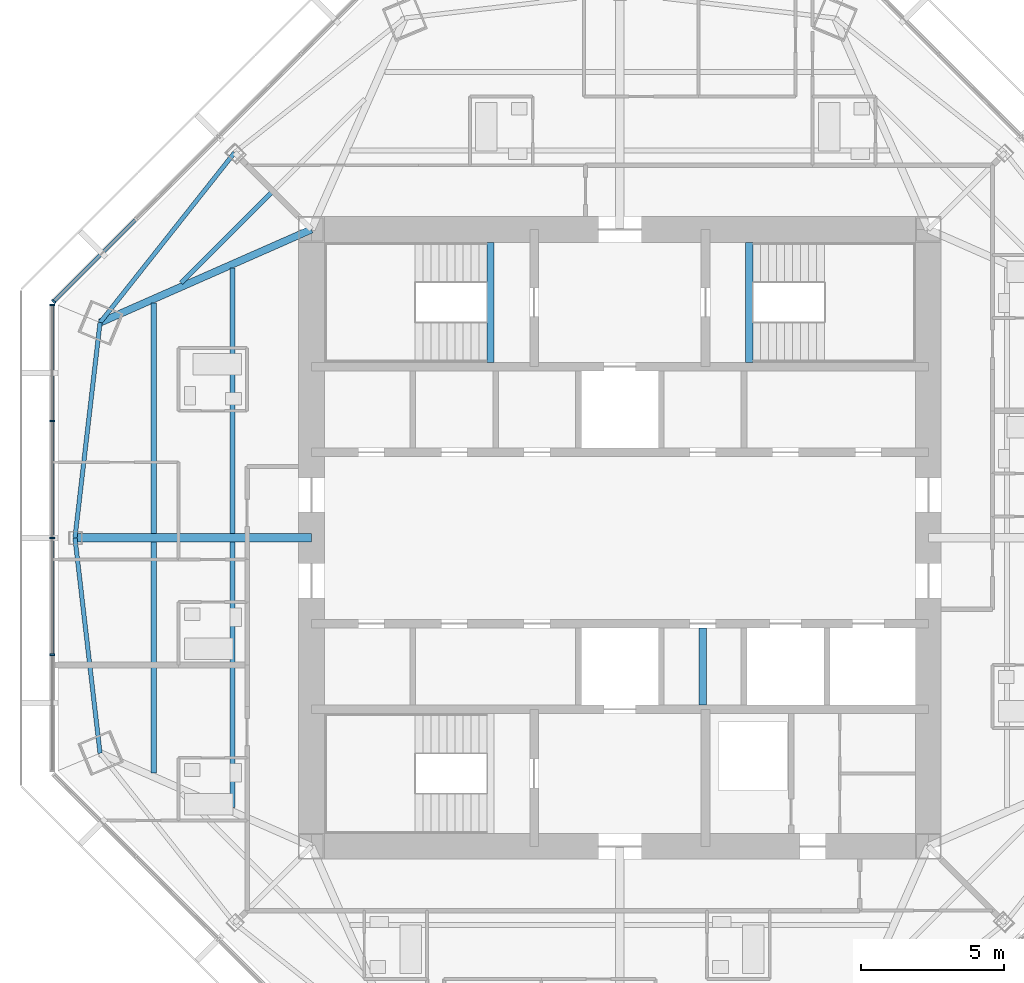
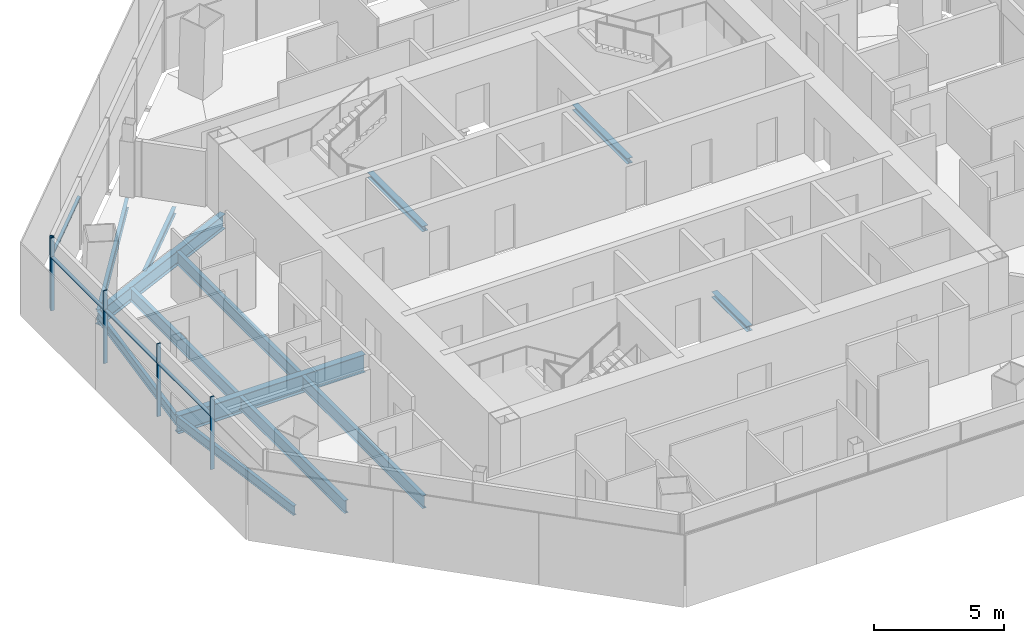
# One storey, part 4 of 14: 13 beams, 9 members, 2 elements without a shape of their own.
"""IFC4 building model written with IfcOpenShell, lengths in metres."""

from ifc_helpers import new_model, si_unit, direction, frame, origin, origin_2d, place, context, subcontext, project, spatial, rectangle, i_section, extrude, source, transform, mapped, material, material_profile, profile_set, type_object, type_shapes, element, aggregate, save


model = new_model("IFC4")

# Units and contexts
model_context = context("Model", 3, precision=1e-05, world=origin(), true_north=direction((0.0, 1.0)))
body_context = subcontext(model_context, "Body", "Model", "MODEL_VIEW")
ifc_project = project(units=[si_unit("LENGTHUNIT", "METRE"), si_unit("AREAUNIT", "SQUARE_METRE"), si_unit("VOLUMEUNIT", "CUBIC_METRE"), si_unit("PLANEANGLEUNIT", "RADIAN"), si_unit("MASSUNIT", "GRAM", prefix="KILO")], contexts=[model_context])

# Site, building, storey
site_placement = place(None, origin())
site = spatial("IfcSite", under=ifc_project, at=site_placement, CompositionType="ELEMENT")
building_placement = place(site_placement, origin())
building = spatial("IfcBuilding", under=site, at=building_placement, Name="Mashrafa Tower", CompositionType="ELEMENT")
storey_placement = place(building_placement, frame((0.0, 0.0, 287.800048828125)))
storey = spatial("IfcBuildingStorey", under=building, at=storey_placement, Name="L70", CompositionType="ELEMENT", Elevation=287.800048828125)

# Beams
ifc_material_1 = material(Name="Steel ASTM A992", Category="steel")
ifc_material_profile_1 = material_profile(ifc_material_1, i_section(OverallWidth=0.164794921875, OverallDepth=0.309814453125, WebThickness=0.005859375, FlangeThickness=0.009765625, FilletRadius=0.007568359375, at=origin_2d()), Name="W12X26")
ifc_profile_set_1 = profile_set([ifc_material_profile_1], Name="Steel ASTM A992")
beam_type_1 = type_object("IfcBeamType", Name="Beam W12X26", PredefinedType="BEAM", material=ifc_profile_set_1)
beam_1_placement = place(storey_placement, frame((-15.35986328125, 8.930908203125, -0.35498046875), z_axis=(0.707079391464, 0.707134169849, 0.0), x_axis=(-0.707134169849, 0.707079391464, 0.0)))
element("IfcBeam", 1, at=beam_1_placement, inside=storey, type_object=beam_type_1, Name="Floor beam L70 003", PredefinedType="BEAM", context=body_context, shape_type="SweptSolid", body=[
    extrude(i_section(OverallWidth=0.164794921875, OverallDepth=0.309814453125, WebThickness=0.005859375, FlangeThickness=0.009765625, FilletRadius=0.007568359375, at=origin_2d()), origin(), (0.0, 0.0, 1.0), 4.456787109375),
])
ifc_material_2 = material(Name="Steel ASTM A992", Category="steel")
ifc_material_profile_2 = material_profile(ifc_material_2, i_section(OverallWidth=0.15234375, OverallDepth=0.449462890625, WebThickness=0.007568359375, FlangeThickness=0.0107421875, FilletRadius=0.01025390625, at=origin_2d()), Name="W18X35")
ifc_profile_set_2 = profile_set([ifc_material_profile_2], Name="Steel ASTM A992")
beam_type_2 = type_object("IfcBeamType", Name="Beam W18X35", PredefinedType="BEAM", material=ifc_profile_set_2)
for number, where, z_axis, x_axis, name in (
    (2, (-19.078857421875, 0.0, -0.4248046875), (0.115700871656, -0.99328410251, 0.0), (0.99328410251, 0.115700871656, 0.0), "Spandrel beam L70 041"),
    (3, (-18.20068359375, 7.5390625, -0.4248046875), (-0.115700871656, -0.99328410251, 0.0), (0.99328410251, -0.115700871656, 0.0), "Spandrel beam L70 043"),
):
    element("IfcBeam", number, at=place(storey_placement, frame(where, z_axis=z_axis, x_axis=x_axis)), inside=storey, type_object=beam_type_2, Name=name, PredefinedType="BEAM", context=body_context, shape_type="SweptSolid", body=[
        extrude(i_section(OverallWidth=0.15234375, OverallDepth=0.449462890625, WebThickness=0.007568359375, FlangeThickness=0.0107421875, FilletRadius=0.01025390625, at=origin_2d()), origin(), (0.0, 0.0, 1.0), 7.590087890625),
    ])
beam_2_placement = place(storey_placement, frame((-13.49072265625, 13.49072265625, -0.4248046875), z_axis=(-0.620559574276, -0.784159304462, 0.0), x_axis=(0.784159304462, -0.620559574276, 0.0)))
element("IfcBeam", 4, at=beam_2_placement, inside=storey, type_object=beam_type_2, Name="Spandrel beam L70 045", PredefinedType="BEAM", context=body_context, shape_type="SweptSolid", body=[
    extrude(i_section(OverallWidth=0.15234375, OverallDepth=0.449462890625, WebThickness=0.007568359375, FlangeThickness=0.0107421875, FilletRadius=0.01025390625, at=origin_2d()), origin(), (0.0, 0.0, 1.0), 7.58984375),
])
ifc_material_3 = material(Name="Steel ASTM A992", Category="steel")
ifc_material_profile_3 = material_profile(ifc_material_3, i_section(OverallWidth=0.177978515625, OverallDepth=0.599365234375, WebThickness=0.010009765625, FlangeThickness=0.012939453125, FilletRadius=0.012939453125, at=origin_2d()), Name="W24X55")
ifc_profile_set_3 = profile_set([ifc_material_profile_3], Name="Steel ASTM A992")
beam_type_3 = type_object("IfcBeamType", Name="Beam W24X55", PredefinedType="BEAM", material=ifc_profile_set_3)
for number, where, z_axis, x_axis, name in (
    (5, (-16.3193359375, -8.227783203125, -0.499755859375), (0.0, 1.0, 0.0), (-1.0, 0.0, 0.0), "Floor beam L70 001"),
    (6, (-16.3193359375, 0.14599609375, -0.499755859375), (0.0, 1.0, 0.0), (-1.0, 0.0, 0.0), "Floor beam L70 002"),
):
    element("IfcBeam", number, at=place(storey_placement, frame(where, z_axis=z_axis, x_axis=x_axis)), inside=storey, type_object=beam_type_3, Name=name, PredefinedType="BEAM", context=body_context, shape_type="SweptSolid", body=[
        extrude(i_section(OverallWidth=0.177978515625, OverallDepth=0.599365234375, WebThickness=0.010009765625, FlangeThickness=0.012939453125, FilletRadius=0.012939453125, at=origin_2d()), origin(), (0.0, 0.0, 1.0), 8.081787109375),
    ])
for number, where, z_axis, x_axis, name in (
    (7, (-13.5595703125, -9.44384765625, -0.499755859375), (0.0, 1.0, 0.0), (-1.0, 0.0, 0.0), "Floor beam L70 004"),
    (8, (-13.5595703125, 0.14599609375, -0.499755859375), (0.0, 1.0, 0.0), (-1.0, 0.0, 0.0), "Floor beam L70 005"),
):
    element("IfcBeam", number, at=place(storey_placement, frame(where, z_axis=z_axis, x_axis=x_axis)), inside=storey, type_object=beam_type_3, Name=name, PredefinedType="BEAM", context=body_context, shape_type="SweptSolid", body=[
        extrude(i_section(OverallWidth=0.177978515625, OverallDepth=0.599365234375, WebThickness=0.010009765625, FlangeThickness=0.012939453125, FilletRadius=0.012939453125, at=origin_2d()), origin(), (0.0, 0.0, 1.0), 9.2978515625),
    ])
ifc_material_4 = material(Name="Steel ASTM A992", Category="steel")
ifc_material_profile_4 = material_profile(ifc_material_4, i_section(OverallWidth=0.256591796875, OverallDepth=0.693359375, WebThickness=0.014404296875, FlangeThickness=0.023681640625, FilletRadius=0.01513671875, at=origin_2d()), Name="W27X114")
ifc_profile_set_4 = profile_set([ifc_material_profile_4], Name="Steel ASTM A992")
beam_type_4 = type_object("IfcBeamType", Name="Beam W27X114", PredefinedType="BEAM", material=ifc_profile_set_4)
beam_3_placement = place(storey_placement, frame((-10.800048828125, 10.800048828125, -0.546875), z_axis=(-0.915100346517, -0.403226184423, 0.0), x_axis=(0.403226184423, -0.915100346517, 0.0)))
element("IfcBeam", 9, at=beam_3_placement, inside=storey, type_object=beam_type_4, Name="Radial girder L70 029", PredefinedType="BEAM", context=body_context, shape_type="SweptSolid", body=[
    extrude(i_section(OverallWidth=0.256591796875, OverallDepth=0.693359375, WebThickness=0.014404296875, FlangeThickness=0.023681640625, FilletRadius=0.01513671875, at=origin_2d()), origin(), (0.0, 0.0, 1.0), 8.087158203125),
])
ifc_material_5 = material(Name="Steel ASTM A992", Category="steel")
ifc_material_profile_5 = material_profile(ifc_material_5, i_section(OverallWidth=0.2919921875, OverallDepth=0.8408203125, WebThickness=0.0146484375, FlangeThickness=0.021728515625, FilletRadius=0.017333984375, at=origin_2d()), Name="W33X130")
ifc_profile_set_5 = profile_set([ifc_material_profile_5], Name="Steel ASTM A992")
beam_type_5 = type_object("IfcBeamType", Name="Beam W33X130", PredefinedType="BEAM", material=ifc_profile_set_5)
beam_4_placement = place(storey_placement, frame((-10.800048828125, 0.0, -0.620361328125), z_axis=(-1.0, 0.0, 0.0), x_axis=(0.0, -1.0, 0.0)))
element("IfcBeam", 10, at=beam_4_placement, inside=storey, type_object=beam_type_5, Name="Radial girder L70 028", PredefinedType="BEAM", context=body_context, shape_type="SweptSolid", body=[
    extrude(i_section(OverallWidth=0.2919921875, OverallDepth=0.8408203125, WebThickness=0.0146484375, FlangeThickness=0.021728515625, FilletRadius=0.017333984375, at=origin_2d()), origin(), (0.0, 0.0, 1.0), 8.27880859375),
])
ifc_material_6 = material(Name="Steel ASTM A992", Category="steel")
ifc_material_profile_6 = material_profile(ifc_material_6, i_section(OverallWidth=0.25390625, OverallDepth=0.25390625, WebThickness=0.008544921875, FlangeThickness=0.01416015625, FilletRadius=0.010009765625, at=origin_2d()), Name="W10X49")
ifc_profile_set_6 = profile_set([ifc_material_profile_6], Name="Steel ASTM A992")
beam_type_6 = type_object("IfcBeamType", Name="Hoistway beam W10X49", PredefinedType="BEAM", material=ifc_profile_set_6)
beam_5_placement = place(storey_placement, frame((2.89990234375, -5.85009765625, -0.3271484375), z_axis=(0.0, 1.0, 0.0), x_axis=(-1.0, 0.0, 0.0)))
element("IfcBeam", 11, at=beam_5_placement, inside=storey, type_object=beam_type_6, Name="Hoistway beam L70 08", PredefinedType="BEAM", context=body_context, shape_type="SweptSolid", body=[
    extrude(i_section(OverallWidth=0.25390625, OverallDepth=0.25390625, WebThickness=0.008544921875, FlangeThickness=0.01416015625, FilletRadius=0.010009765625, at=origin_2d()), origin(), (0.0, 0.0, 1.0), 2.7001953125),
])
for number, where, z_axis, x_axis, name in (
    (12, (-4.530029296875, 6.14990234375, -0.3271484375), (0.0, 1.0, 0.0), (-1.0, 0.0, 0.0), "Stair S1 landing beam L70"),
    (13, (4.530029296875, 6.14990234375, -0.3271484375), (0.0, 1.0, 0.0), (-1.0, 0.0, 0.0), "Stair S2 landing beam L70"),
):
    element("IfcBeam", number, at=place(storey_placement, frame(where, z_axis=z_axis, x_axis=x_axis)), inside=storey, type_object=beam_type_6, Name=name, PredefinedType="BEAM", context=body_context, shape_type="SweptSolid", body=[
        extrude(i_section(OverallWidth=0.25390625, OverallDepth=0.25390625, WebThickness=0.008544921875, FlangeThickness=0.01416015625, FilletRadius=0.010009765625, at=origin_2d()), origin(), (0.0, 0.0, 1.0), 4.2001953125),
    ])

# Curtain wall, member
ifc_material_7 = material(Name="Unitised aluminium curtain wall", Category="aluminium")
curtain_wall_type = type_object("IfcCurtainWallType", Name="Apartment curtain wall, zone 4 CW-D 160 deep", PredefinedType="NOTDEFINED", material=ifc_material_7)
curtain_wall_1_placement = place(storey_placement, origin())
curtain_wall_1 = element("IfcCurtainWall", 14, at=curtain_wall_1_placement, inside=storey, type_object=curtain_wall_type, Name="Apartment curtain wall, zone 4 L70 north-west", PredefinedType="NOTDEFINED")
ifc_material_8 = material(Name="Extruded aluminium mullion", Category="aluminium")
ifc_material_profile_7 = material_profile(ifc_material_8, rectangle(XDim=0.159912109375, YDim=0.06005859375, at=origin_2d()), Name="Mullion 60x160")
ifc_profile_set_7 = profile_set([ifc_material_profile_7], Name="Extruded aluminium mullion")
member_type_1 = type_object("IfcMemberType", Name="Mullion CW-D 60 x 160", PredefinedType="MULLION", material=ifc_profile_set_7)
shared_shape_1 = source(origin(), body_context, "Body", "SweptSolid", [
    extrude(rectangle(XDim=0.159912109375, YDim=0.06005859375, at=origin_2d()), origin(), (0.0, 0.0, 1.0), 3.39990234375),
])
type_shapes(member_type_1, [shared_shape_1])
member_1_placement = place(storey_placement, frame((-19.821533203125, 8.283447265625, 0.0), z_axis=(0.0, 0.0, 1.0), x_axis=(0.707106781187, -0.707106781187, 0.0)))
member_1 = element("IfcMember", 15, at=member_1_placement, type_object=member_type_1, Name="CW-D mullion 5", PredefinedType="MULLION", context=body_context, shape_type="MappedRepresentation", body=[
    mapped(shared_shape_1, transform((0.0, 0.0, 0.0))),
])

# Curtain wall, members
curtain_wall_2_placement = place(storey_placement, origin())
curtain_wall_2 = element("IfcCurtainWall", 16, at=curtain_wall_2_placement, inside=storey, type_object=curtain_wall_type, Name="Apartment curtain wall, zone 4 L70 west", PredefinedType="NOTDEFINED")
member_2_placement = place(storey_placement, frame((-19.873291015625, 8.15869140625, 0.0), z_axis=(0.0, 0.0, 1.0), x_axis=(1.0, 0.0, 0.0)))
member_2 = element("IfcMember", 17, at=member_2_placement, type_object=member_type_1, Name="CW-D mullion 1", PredefinedType="MULLION", context=body_context, shape_type="MappedRepresentation", body=[
    mapped(shared_shape_1, transform((0.0, 0.0, 0.0))),
])
member_3_placement = place(storey_placement, frame((-19.873291015625, 4.09423828125, 0.0), z_axis=(0.0, 0.0, 1.0), x_axis=(1.0, 0.0, 0.0)))
member_3 = element("IfcMember", 18, at=member_3_placement, type_object=member_type_1, Name="CW-D mullion 2", PredefinedType="MULLION", context=body_context, shape_type="MappedRepresentation", body=[
    mapped(shared_shape_1, transform((0.0, 0.0, 0.0))),
])
member_4_placement = place(storey_placement, frame((-19.873291015625, 0.0, 0.0), z_axis=(0.0, 0.0, 1.0), x_axis=(1.0, 0.0, 0.0)))
member_4 = element("IfcMember", 19, at=member_4_placement, type_object=member_type_1, Name="CW-D mullion 3", PredefinedType="MULLION", context=body_context, shape_type="MappedRepresentation", body=[
    mapped(shared_shape_1, transform((0.0, 0.0, 0.0))),
])
member_5_placement = place(storey_placement, frame((-19.873291015625, -4.09423828125, 0.0), z_axis=(0.0, 0.0, 1.0), x_axis=(1.0, 0.0, 0.0)))
member_5 = element("IfcMember", 20, at=member_5_placement, type_object=member_type_1, Name="CW-D mullion 4", PredefinedType="MULLION", context=body_context, shape_type="MappedRepresentation", body=[
    mapped(shared_shape_1, transform((0.0, 0.0, 0.0))),
])

# Member
ifc_material_9 = material(Name="Extruded aluminium transom", Category="aluminium")
ifc_material_profile_8 = material_profile(ifc_material_9, rectangle(XDim=0.1279296875, YDim=0.074951171875, at=origin_2d()), Name="Transom 75x128")
ifc_profile_set_8 = profile_set([ifc_material_profile_8], Name="Extruded aluminium transom")
member_type_2 = type_object("IfcMemberType", Name="Transom CW-D 75 x 128", PredefinedType="MULLION", material=ifc_profile_set_8)
shared_shape_2 = source(origin(), body_context, "Body", "SweptSolid", [
    extrude(rectangle(XDim=0.1279296875, YDim=0.074951171875, at=origin_2d()), origin(), (0.0, 0.0, 1.0), 4.00439453125),
])
member_6_placement = place(storey_placement, frame((-16.96875, 11.13623046875, 2.5), z_axis=(-0.707106781187, -0.707106781187, 0.0), x_axis=(0.707106781187, -0.707106781187, 0.0)))
member_6 = element("IfcMember", 21, at=member_6_placement, type_object=member_type_2, Name="CW-D transom 4", PredefinedType="MULLION", context=body_context, shape_type="MappedRepresentation", body=[
    mapped(shared_shape_2, transform((0.0, 0.0, 0.0))),
])

aggregate(curtain_wall_1, [member_1, member_6])

member_7_placement = place(storey_placement, frame((-19.873291015625, 8.128662109375, 2.5), z_axis=(0.0, -1.0, 0.0), x_axis=(1.0, 0.0, 0.0)))
member_7 = element("IfcMember", 22, at=member_7_placement, type_object=member_type_2, Name="CW-D transom 1", PredefinedType="MULLION", context=body_context, shape_type="MappedRepresentation", body=[
    mapped(shared_shape_2, transform((0.0, 0.0, 0.0))),
])

shared_shape_3 = source(origin(), body_context, "Body", "SweptSolid", [
    extrude(rectangle(XDim=0.1279296875, YDim=0.074951171875, at=origin_2d()), origin(), (0.0, 0.0, 1.0), 4.0341796875),
])
type_shapes(member_type_2, [shared_shape_2, shared_shape_3])
member_8_placement = place(storey_placement, frame((-19.873291015625, 4.064208984375, 2.5), z_axis=(0.0, -1.0, 0.0), x_axis=(1.0, 0.0, 0.0)))
member_8 = element("IfcMember", 23, at=member_8_placement, type_object=member_type_2, Name="CW-D transom 2", PredefinedType="MULLION", context=body_context, shape_type="MappedRepresentation", body=[
    mapped(shared_shape_3, transform((0.0, 0.0, 0.0))),
])

member_9_placement = place(storey_placement, frame((-19.873291015625, -0.030029296875, 2.5), z_axis=(0.0, -1.0, 0.0), x_axis=(1.0, 0.0, 0.0)))
member_9 = element("IfcMember", 24, at=member_9_placement, type_object=member_type_2, Name="CW-D transom 3", PredefinedType="MULLION", context=body_context, shape_type="MappedRepresentation", body=[
    mapped(shared_shape_3, transform((0.0, 0.0, 0.0))),
])

aggregate(curtain_wall_2, [member_2, member_3, member_4, member_5, member_7, member_8, member_9])

save(model, "model.ifc")
